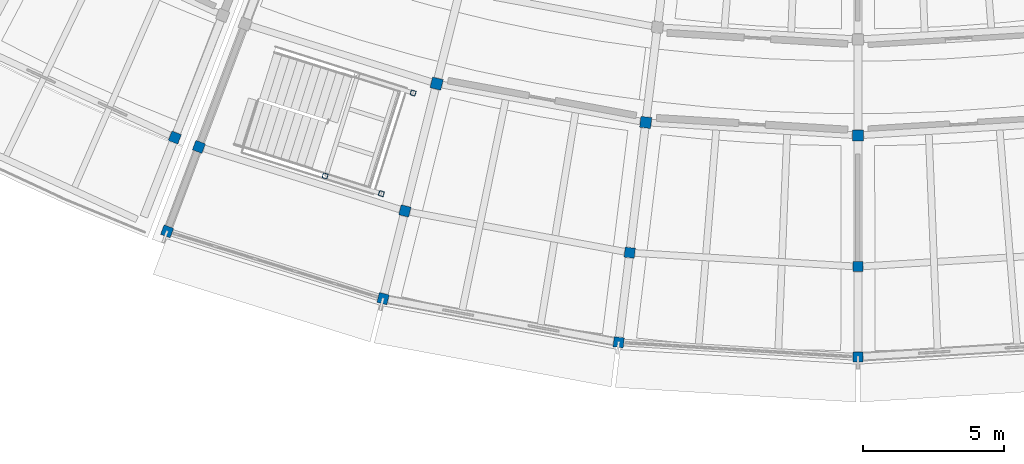
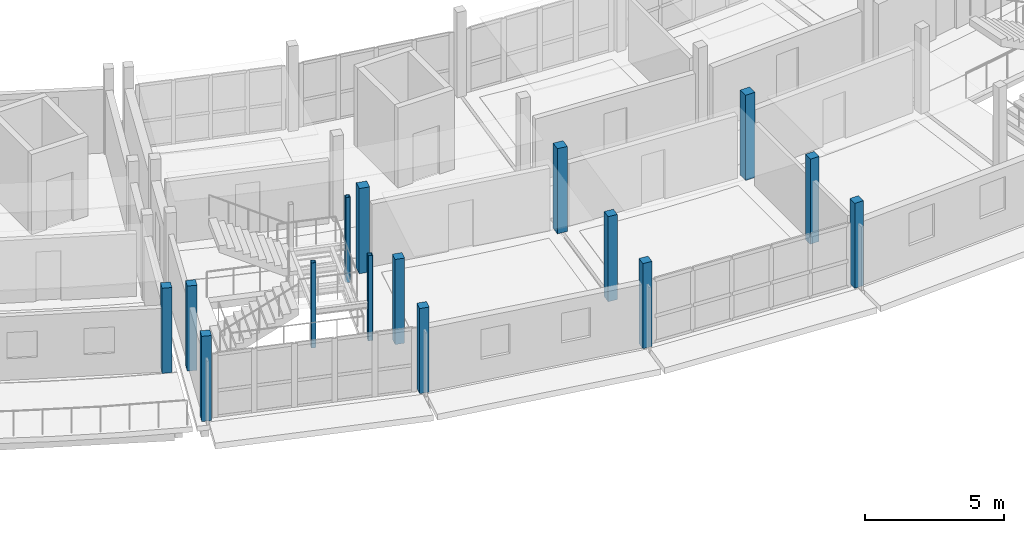
# One storey, part 1 of 36: 15 columns.
"""IFC4 building model written with IfcOpenShell, lengths in metres."""

from ifc_helpers import new_model, si_unit, direction, frame, origin, origin_2d, place, context, subcontext, project, spatial, rectangle, hollow_rectangle, extrude, material, material_profile, profile_set, type_object, element, save


model = new_model("IFC4")

# Units and contexts
model_context = context("Model", 3, precision=1e-05, world=origin(), true_north=direction((0.0, 1.0)))
body_context = subcontext(model_context, "Body", "Model", "MODEL_VIEW")
ifc_project = project(units=[si_unit("LENGTHUNIT", "METRE"), si_unit("AREAUNIT", "SQUARE_METRE"), si_unit("VOLUMEUNIT", "CUBIC_METRE"), si_unit("PLANEANGLEUNIT", "RADIAN"), si_unit("MASSUNIT", "GRAM", prefix="KILO")], contexts=[model_context])

# Site, building, storey
site_placement = place(None, origin())
site = spatial("IfcSite", under=ifc_project, at=site_placement, CompositionType="ELEMENT")
building_placement = place(site_placement, origin())
building = spatial("IfcBuilding", under=site, at=building_placement, Name="Caldaven Crescent School", CompositionType="ELEMENT")
storey_placement = place(building_placement, frame((0.0, 0.0, 11.89990234375)))
storey = spatial("IfcBuildingStorey", under=building, at=storey_placement, Name="L03", CompositionType="ELEMENT", Elevation=11.89990234375)

# Columns
ifc_material_1 = material(Name="Glulam MLE24h (GL28h)", Category="wood")
ifc_material_profile_1 = material_profile(ifc_material_1, rectangle(XDim=0.360107421875, YDim=0.360107421875, at=origin_2d()), Name="MLE 360x360")
ifc_profile_set_1 = profile_set([ifc_material_profile_1], Name="Glulam MLE24h (GL28h)")
column_type_1 = type_object("IfcColumnType", Name="COL-GL36", PredefinedType="COLUMN", material=ifc_profile_set_1)
for number, where, z_axis, x_axis, name in (
    (1, (63.79638671875, 34.22216796875, 0.0), (0.0, 0.0, 1.0), (-0.364714278886, -0.931119484694, 0.0), "COL-V4W-L03-03-3"),
    (2, (64.6494140625, 33.894775390625, 0.0), (0.0, 0.0, 1.0), (-0.352005016254, -0.93599811353, 0.0), "COL-V5-L03-00-3"),
    (3, (63.523193359375, 30.8994140625, 0.0), (0.0, 0.0, 1.0), (-0.352005016254, -0.93599811353, 0.0), "COL-V5-L03-00-4"),
    (4, (71.948486328125, 31.620849609375, 0.0), (0.0, 0.0, 1.0), (-0.2419218956, -0.970295726276, 0.0), "COL-V5-L03-01-3"),
    (5, (71.17431640625, 28.515869140625, 0.0), (0.0, 0.0, 1.0), (-0.2419218956, -0.970295726276, 0.0), "COL-V5-L03-01-4"),
    (6, (79.9140625, 30.14453125, 0.0), (0.0, 0.0, 1.0), (-0.121869343405, -0.992546151641, 0.0), "COL-V5-L03-02-3"),
    (7, (79.52392578125, 26.968505859375, 0.0), (0.0, 0.0, 1.0), (-0.121869343405, -0.992546151641, 0.0), "COL-V5-L03-02-4"),
    (8, (88.0, 29.64990234375, 0.0), (0.0, 0.0, 1.0), (0.0, -1.0, 0.0), "COL-V5-L03-03-3"),
    (9, (88.0, 26.449951171875, 0.0), (0.0, 0.0, 1.0), (0.0, -1.0, 0.0), "COL-V5-L03-03-4"),
):
    element("IfcColumn", number, at=place(storey_placement, frame(where, z_axis=z_axis, x_axis=x_axis)), inside=storey, type_object=column_type_1, Name=name, PredefinedType="COLUMN", context=body_context, shape_type="SweptSolid", body=[
        extrude(rectangle(XDim=0.360107421875, YDim=0.360107421875, at=origin_2d()), origin(), (0.0, 0.0, 1.0), 3.739990234375),
    ])
ifc_material_profile_2 = material_profile(ifc_material_1, rectangle(XDim=0.389892578125, YDim=0.389892578125, at=origin_2d()), Name="MLE 390x390")
ifc_profile_set_2 = profile_set([ifc_material_profile_2], Name="Glulam MLE24h (GL28h)")
column_type_2 = type_object("IfcColumnType", Name="COL-GL39", PredefinedType="COLUMN", material=ifc_profile_set_2)
for number, where, z_axis, x_axis, name in (
    (10, (73.073486328125, 36.1328125, 0.0), (0.0, 0.0, 1.0), (-0.2419218956, -0.970295726276, 0.0), "COL-V5-L03-01-2"),
    (11, (80.480712890625, 34.760009765625, 0.0), (0.0, 0.0, 1.0), (-0.121869343405, -0.992546151641, 0.0), "COL-V5-L03-02-2"),
    (12, (88.0, 34.300048828125, 0.0), (0.0, 0.0, 1.0), (0.0, -1.0, 0.0), "COL-V5-L03-03-2"),
):
    element("IfcColumn", number, at=place(storey_placement, frame(where, z_axis=z_axis, x_axis=x_axis)), inside=storey, type_object=column_type_2, Name=name, PredefinedType="COLUMN", context=body_context, shape_type="SweptSolid", body=[
        extrude(rectangle(XDim=0.389892578125, YDim=0.389892578125, at=origin_2d()), origin(), (0.0, 0.0, 1.0), 3.739990234375),
    ])
ifc_material_2 = material(Name="Steel ASTM A572 Grade 50", Category="steel")
ifc_material_profile_3 = material_profile(ifc_material_2, hollow_rectangle(XDim=0.179931640625, YDim=0.179931640625, WallThickness=0.010009765625, InnerFilletRadius=0.010009765625, OuterFilletRadius=0.02001953125, at=origin_2d()), Name="HSS 180x180x10")
ifc_profile_set_3 = profile_set([ifc_material_profile_3], Name="Steel ASTM A572 Grade 50")
column_type_3 = type_object("IfcColumnType", Name="COL-HS18", PredefinedType="COLUMN", material=ifc_profile_set_3)
for number, where, z_axis, x_axis, name in (
    (13, (69.12109375, 32.864990234375, 0.0), (0.0, 0.0, 1.0), (0.953716950748, -0.300705799504, 0.0), "COL-STPOST-ST2-L03-A"),
    (14, (71.114501953125, 32.236328125, 0.0), (0.0, 0.0, 1.0), (0.953716950748, -0.300705799504, 0.0), "COL-STPOST-ST2-L03-C"),
    (15, (72.239013671875, 35.80322265625, 0.0), (0.0, 0.0, 1.0), (0.953716950748, -0.300705799504, 0.0), "COL-STPOST-ST2-L03-D"),
):
    element("IfcColumn", number, at=place(storey_placement, frame(where, z_axis=z_axis, x_axis=x_axis)), inside=storey, type_object=column_type_3, Name=name, PredefinedType="COLUMN", context=body_context, shape_type="SweptSolid", body=[
        extrude(hollow_rectangle(XDim=0.179931640625, YDim=0.179931640625, WallThickness=0.010009765625, InnerFilletRadius=0.010009765625, OuterFilletRadius=0.02001953125, at=origin_2d()), origin(), (0.0, 0.0, 1.0), 3.739990234375),
    ])

save(model, "model.ifc")
